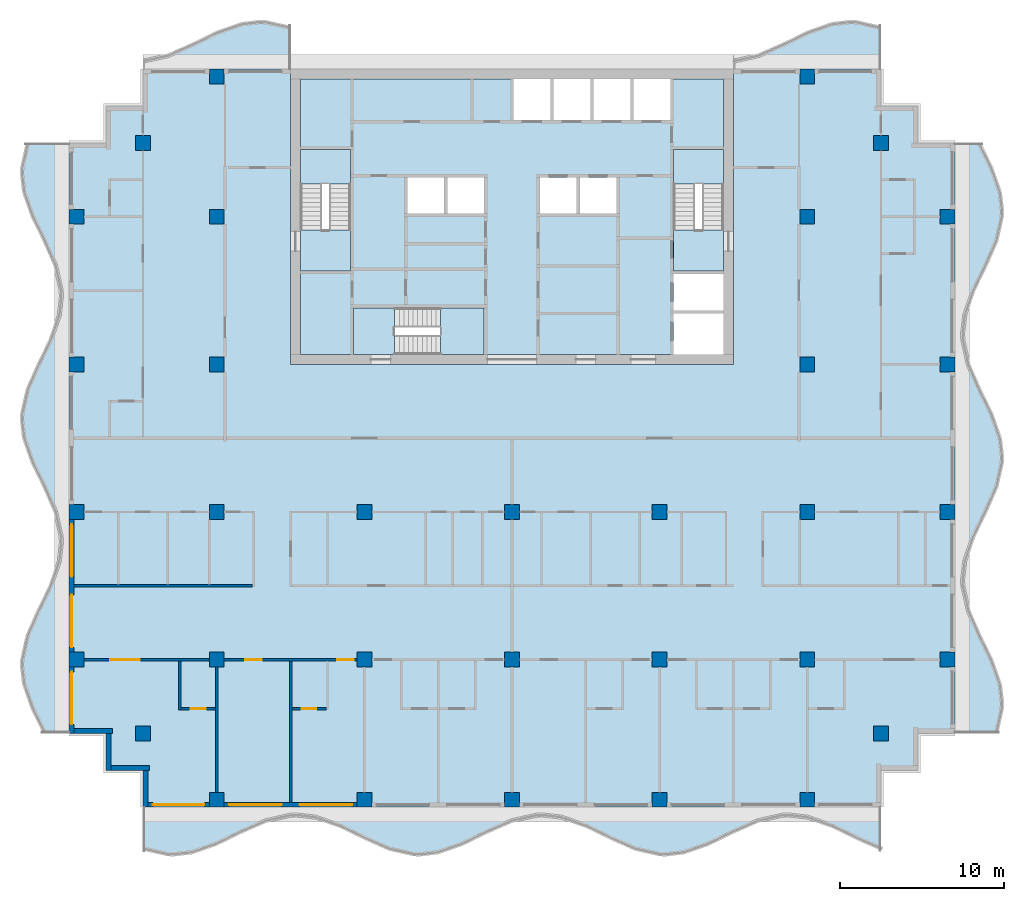
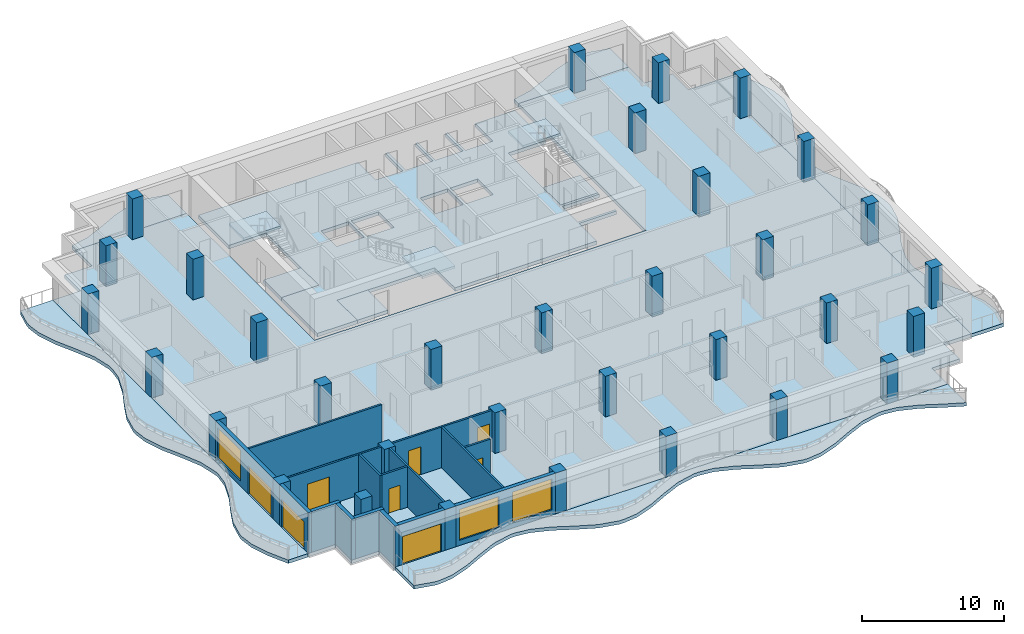
# One storey, part 1 of 11: 33 columns, 16 walls, 13 slabs, 8 doors, 3 windows, 11 openings, 3 elements without a shape of their own.
"""IFC4 building model written with IfcOpenShell, lengths in metres."""

from ifc_helpers import new_model, si_unit, direction, frame, frame_2d, origin, origin_2d, place, context, subcontext, project, spatial, polyline, rectangle, outline, extrude, material, layer, layer_set, material_profile, profile_set, type_object, element, fill, aggregate, save


model = new_model("IFC4")

# Units and contexts
model_context = context("Model", 3, precision=1e-05, world=origin(), true_north=direction((0.0, 1.0)))
body_context = subcontext(model_context, "Body", "Model", "MODEL_VIEW")
ifc_project = project(units=[si_unit("LENGTHUNIT", "METRE"), si_unit("AREAUNIT", "SQUARE_METRE"), si_unit("VOLUMEUNIT", "CUBIC_METRE"), si_unit("PLANEANGLEUNIT", "RADIAN"), si_unit("MASSUNIT", "GRAM", prefix="KILO")], contexts=[model_context])

# Site, building, storey
site_placement = place(None, origin())
site = spatial("IfcSite", under=ifc_project, at=site_placement, CompositionType="ELEMENT")
building_placement = place(site_placement, origin())
building = spatial("IfcBuilding", under=site, at=building_placement, Name="Orbiselva Terraces", CompositionType="ELEMENT")
storey_placement = place(building_placement, frame((0.0, 0.0, 276.8)))
storey = spatial("IfcBuildingStorey", under=building, at=storey_placement, Name="L70", CompositionType="ELEMENT", Elevation=276.8)

# Columns
ifc_material_1 = material(Name="Concrete C50/60", Category="concrete")
ifc_material_profile_1 = material_profile(ifc_material_1, rectangle(XDim=0.9, YDim=0.9, at=origin_2d()), Name="RC 900x900")
ifc_profile_set_1 = profile_set([ifc_material_profile_1], Name="Concrete C50/60")
column_type_1 = type_object("IfcColumnType", Name="COLUMN RC 900x900", PredefinedType="COLUMN", material=ifc_profile_set_1)
for number, where, z_axis, x_axis, name in (
    (1, (-18.0, -13.5, 0.0), (0.0, 0.0, 1.0), (1.0, 0.0, 0.0), "Column L70-01"),
    (2, (-18.0, -4.5, 0.0), (0.0, 0.0, 1.0), (1.0, 0.0, 0.0), "Column L70-03"),
    (3, (-18.0, 13.5, 0.0), (0.0, 0.0, 1.0), (1.0, 0.0, 0.0), "Column L70-04"),
    (4, (-18.0, 4.5, 0.0), (0.0, 0.0, 1.0), (1.0, 0.0, 0.0), "Column L70-06"),
    (5, (-9.0, -13.5, 0.0), (0.0, 0.0, 1.0), (1.0, 0.0, 0.0), "Column L70-13"),
    (6, (-9.0, -4.5, 0.0), (0.0, 0.0, 1.0), (1.0, 0.0, 0.0), "Column L70-15"),
    (7, (0.0, -13.5, 0.0), (0.0, 0.0, 1.0), (1.0, 0.0, 0.0), "Column L70-16"),
    (8, (0.0, -4.5, 0.0), (0.0, 0.0, 1.0), (1.0, 0.0, 0.0), "Column L70-18"),
    (9, (18.0, -13.5, 0.0), (0.0, 0.0, 1.0), (1.0, 0.0, 0.0), "Column L70-19"),
    (10, (18.0, -4.5, 0.0), (0.0, 0.0, 1.0), (1.0, 0.0, 0.0), "Column L70-21"),
    (11, (18.0, 13.5, 0.0), (0.0, 0.0, 1.0), (1.0, 0.0, 0.0), "Column L70-22"),
    (12, (18.0, 4.5, 0.0), (0.0, 0.0, 1.0), (1.0, 0.0, 0.0), "Column L70-24"),
    (13, (9.0, -13.5, 0.0), (0.0, 0.0, 1.0), (1.0, 0.0, 0.0), "Column L70-31"),
    (14, (9.0, -4.5, 0.0), (0.0, 0.0, 1.0), (1.0, 0.0, 0.0), "Column L70-33"),
):
    element("IfcColumn", number, at=place(storey_placement, frame(where, z_axis=z_axis, x_axis=x_axis)), inside=storey, type_object=column_type_1, Name=name, PredefinedType="COLUMN", context=body_context, shape_type="SweptSolid", body=[
        extrude(rectangle(XDim=0.9, YDim=0.9, at=origin_2d()), origin(), (0.0, 0.0, 1.0), 3.5),
    ])
ifc_material_profile_2 = material_profile(ifc_material_1, rectangle(XDim=0.9, YDim=0.9, at=origin_2d()), Name="RC 900x900")
ifc_profile_set_2 = profile_set([ifc_material_profile_2], Name="Concrete C50/60")
column_type_2 = type_object("IfcColumnType", Name="PERIMETER COLUMN RC 900x900", PredefinedType="COLUMN", material=ifc_profile_set_2)
for number, where, z_axis, x_axis, name in (
    (15, (-18.0, -22.05, 0.0), (0.0, 0.0, 1.0), (1.0, 0.0, 0.0), "Column L70-02"),
    (16, (-18.0, 22.05, 0.0), (0.0, 0.0, 1.0), (1.0, 0.0, 0.0), "Column L70-05"),
    (17, (-26.55, -13.5, 0.0), (0.0, 0.0, 1.0), (1.0, 0.0, 0.0), "Column L70-07"),
    (18, (-22.5, -18.0, 0.0), (0.0, 0.0, 1.0), (1.0, 0.0, 0.0), "Column L70-08"),
    (19, (-26.55, -4.5, 0.0), (0.0, 0.0, 1.0), (1.0, 0.0, 0.0), "Column L70-09"),
    (20, (-26.55, 13.5, 0.0), (0.0, 0.0, 1.0), (1.0, 0.0, 0.0), "Column L70-10"),
    (21, (-22.5, 18.0, 0.0), (0.0, 0.0, 1.0), (1.0, 0.0, 0.0), "Column L70-11"),
    (22, (-26.55, 4.5, 0.0), (0.0, 0.0, 1.0), (1.0, 0.0, 0.0), "Column L70-12"),
    (23, (-9.0, -22.05, 0.0), (0.0, 0.0, 1.0), (1.0, 0.0, 0.0), "Column L70-14"),
    (24, (0.0, -22.05, 0.0), (0.0, 0.0, 1.0), (1.0, 0.0, 0.0), "Column L70-17"),
    (25, (18.0, -22.05, 0.0), (0.0, 0.0, 1.0), (1.0, 0.0, 0.0), "Column L70-20"),
    (26, (18.0, 22.05, 0.0), (0.0, 0.0, 1.0), (1.0, 0.0, 0.0), "Column L70-23"),
    (27, (26.55, -13.5, 0.0), (0.0, 0.0, 1.0), (1.0, 0.0, 0.0), "Column L70-25"),
    (28, (22.5, -18.0, 0.0), (0.0, 0.0, 1.0), (1.0, 0.0, 0.0), "Column L70-26"),
    (29, (26.55, -4.5, 0.0), (0.0, 0.0, 1.0), (1.0, 0.0, 0.0), "Column L70-27"),
    (30, (26.55, 13.5, 0.0), (0.0, 0.0, 1.0), (1.0, 0.0, 0.0), "Column L70-28"),
    (31, (22.5, 18.0, 0.0), (0.0, 0.0, 1.0), (1.0, 0.0, 0.0), "Column L70-29"),
    (32, (26.55, 4.5, 0.0), (0.0, 0.0, 1.0), (1.0, 0.0, 0.0), "Column L70-30"),
    (33, (9.0, -22.05, 0.0), (0.0, 0.0, 1.0), (1.0, 0.0, 0.0), "Column L70-32"),
):
    element("IfcColumn", number, at=place(storey_placement, frame(where, z_axis=z_axis, x_axis=x_axis)), inside=storey, type_object=column_type_2, Name=name, PredefinedType="COLUMN", context=body_context, shape_type="SweptSolid", body=[
        extrude(rectangle(XDim=0.9, YDim=0.9, at=origin_2d()), origin(), (0.0, 0.0, 1.0), 3.5),
    ])

# Slabs
ifc_material_2 = material(Name="Concrete C40/50", Category="concrete")
ifc_layer_1 = layer(ifc_material_2, 0.3)
ifc_layer_set_1 = layer_set([ifc_layer_1], Name="Concrete C40/50")
slab_type_1 = type_object("IfcSlabType", Name="CORE-SLAB-FLOOR-300", PredefinedType="FLOOR", material=ifc_layer_set_1)
slab_1_placement = place(storey_placement, frame((0.0, 0.0, -0.3)))
element("IfcSlab", 34, at=slab_1_placement, inside=storey, type_object=slab_type_1, Name="L70 S1 floor landing", PredefinedType="FLOOR", context=body_context, shape_type="SweptSolid", body=[
    extrude(outline(polyline([(-12.9, 12.7), (-9.85, 12.7), (-9.85, 10.2), (-12.9, 10.2), (-12.9, 12.7)])), origin(), (0.0, 0.0, 1.0), 0.3),
])
slab_2_placement = place(storey_placement, frame((0.0, 0.0, -0.3)))
element("IfcSlab", 35, at=slab_2_placement, inside=storey, type_object=slab_type_1, Name="L70 S2 floor landing", PredefinedType="FLOOR", context=body_context, shape_type="SweptSolid", body=[
    extrude(outline(polyline([(12.9, 12.7), (12.9, 10.2), (9.85, 10.2), (9.85, 12.7), (12.9, 12.7)])), origin(), (0.0, 0.0, 1.0), 0.3),
])
slab_3_placement = place(storey_placement, frame((0.0, 0.0, -0.3)))
element("IfcSlab", 36, at=slab_3_placement, inside=storey, type_object=slab_type_1, Name="L70 S3 floor landing", PredefinedType="FLOOR", context=body_context, shape_type="SweptSolid", body=[
    extrude(outline(polyline([(-7.15, 5.1), (-9.65, 5.1), (-9.65, 7.95), (-7.15, 7.95), (-7.15, 5.1)])), origin(), (0.0, 0.0, 1.0), 0.3),
])
slab_4_placement = place(storey_placement, frame((0.0, 0.0, -0.3)))
element("IfcSlab", 37, at=slab_4_placement, inside=storey, type_object=slab_type_1, Name="L70 core floor slab 1", PredefinedType="FLOOR", context=body_context, shape_type="SweptSolid", body=[
    extrude(outline(polyline([(-1.7, 5.1), (-1.7, 7.95), (-9.65, 7.95), (-9.65, 5.1), (-12.9, 5.1), (-12.9, 10.2), (-9.85, 10.2), (-9.85, 17.6), (-12.9, 17.6), (-12.9, 21.9), (0.1, 21.9), (0.1, 19.4), (2.3375, 19.4), (2.3375, 21.9), (2.5375, 21.9), (2.5375, 19.4), (4.775, 19.4), (4.775, 21.9), (4.975, 21.9), (4.975, 19.4), (7.2125, 19.4), (7.2125, 21.9), (7.4125, 21.9), (7.4125, 19.4), (9.65, 19.4), (9.65, 21.9), (12.9, 21.9), (12.9, 17.6), (9.85, 17.6), (9.85, 10.2), (12.9, 10.2), (12.9, 10.0), (9.85, 10.0), (9.85, 7.8), (12.9, 7.8), (12.9, 7.6), (9.85, 7.6), (9.85, 5.1), (-1.7, 5.1)]), holes=[polyline([(-4.1375, 13.7), (-4.1375, 15.9), (-6.375, 15.9), (-6.375, 13.7), (-4.1375, 13.7)]), polyline([(-1.7, 13.7), (-1.7, 15.9), (-3.9375, 15.9), (-3.9375, 13.7), (-1.7, 13.7)]), polyline([(3.9375, 15.9), (1.7, 15.9), (1.7, 13.7), (3.9375, 13.7), (3.9375, 15.9)]), polyline([(6.375, 13.7), (6.375, 15.9), (4.1375, 15.9), (4.1375, 13.7), (6.375, 13.7)])]), origin(), (0.0, 0.0, 1.0), 0.3),
])

# Stair, slab
stair_type_1 = type_object("IfcStairType", Name="CORE-STAIR-1300", PredefinedType="HALF_TURN_STAIR", material=ifc_material_2)
stair_1_placement = place(storey_placement, origin())
stair_1 = element("IfcStair", 38, at=stair_1_placement, inside=storey, type_object=stair_type_1, Name="L70 Exit Stair S1", PredefinedType="HALF_TURN_STAIR")
ifc_layer_2 = layer(ifc_material_2, 0.2)
ifc_layer_set_2 = layer_set([ifc_layer_2], Name="Concrete C40/50")
slab_type_2 = type_object("IfcSlabType", Name="CORE-STAIR-LANDING-200", PredefinedType="LANDING", material=ifc_layer_set_2)
slab_5_placement = place(storey_placement, frame((0.0, 0.0, 1.7)))
slab_5 = element("IfcSlab", 39, at=slab_5_placement, type_object=slab_type_2, Name="S1 landing 1", PredefinedType="LANDING", context=body_context, shape_type="SweptSolid", body=[
    extrude(outline(polyline([(-9.85, 15.5), (-9.85, 17.6), (-12.9, 17.6), (-12.9, 15.5), (-9.85, 15.5)])), origin(), (0.0, 0.0, 1.0), 0.2),
])
aggregate(stair_1, [slab_5])

stair_2_placement = place(storey_placement, origin())
stair_2 = element("IfcStair", 40, at=stair_2_placement, inside=storey, type_object=stair_type_1, Name="L70 Exit Stair S2", PredefinedType="HALF_TURN_STAIR")
slab_6_placement = place(storey_placement, frame((0.0, 0.0, 1.7)))
slab_6 = element("IfcSlab", 41, at=slab_6_placement, type_object=slab_type_2, Name="S2 landing 1", PredefinedType="LANDING", context=body_context, shape_type="SweptSolid", body=[
    extrude(outline(polyline([(12.9, 15.5), (12.9, 17.6), (9.85, 17.6), (9.85, 15.5), (12.9, 15.5)])), origin(), (0.0, 0.0, 1.0), 0.2),
])
aggregate(stair_2, [slab_6])

stair_type_2 = type_object("IfcStairType", Name="CORE-STAIR-1200", PredefinedType="HALF_TURN_STAIR", material=ifc_material_2)
stair_3_placement = place(storey_placement, origin())
stair_3 = element("IfcStair", 42, at=stair_3_placement, inside=storey, type_object=stair_type_2, Name="L70 Exit Stair S3", PredefinedType="HALF_TURN_STAIR")
slab_7_placement = place(storey_placement, frame((0.0, 0.0, 1.7)))
slab_7 = element("IfcSlab", 43, at=slab_7_placement, type_object=slab_type_2, Name="S3 landing 1", PredefinedType="LANDING", context=body_context, shape_type="SweptSolid", body=[
    extrude(outline(polyline([(-4.35, 5.1), (-1.7, 5.1), (-1.7, 7.95), (-4.35, 7.95), (-4.35, 5.1)])), origin(), (0.0, 0.0, 1.0), 0.2),
])
aggregate(stair_3, [slab_7])

# Slabs
ifc_layer_3 = layer(ifc_material_1, 0.3)
ifc_layer_set_3 = layer_set([ifc_layer_3], Name="Concrete C50/60")
slab_type_3 = type_object("IfcSlabType", Name="ENV-BALCONY-SLAB-300", PredefinedType="FLOOR", material=ifc_layer_set_3)
slab_8_placement = place(storey_placement, frame((0.0, 0.0, -0.3)))
element("IfcSlab", 44, at=slab_8_placement, inside=storey, type_object=slab_type_3, Name="Balcony slab L70 S", PredefinedType="FLOOR", context=body_context, shape_type="SweptSolid", body=[
    extrude(outline(polyline([(-22.5, -25.148528), (-21.0, -25.485226), (-20.625, -25.5), (-19.5, -25.369208), (-18.0, -24.844789), (-16.5, -24.112279), (-15.0, -23.451472), (-13.5, -23.114774), (-13.125, -23.1), (-12.0, -23.230792), (-10.5, -23.755211), (-9.0, -24.487721), (-7.5, -25.148528), (-6.0, -25.485226), (-5.625, -25.5), (-4.5, -25.369208), (-3.0, -24.844789), (-1.5, -24.112279), (0.0, -23.451472), (1.5, -23.114774), (1.875, -23.1), (3.0, -23.230792), (4.5, -23.755211), (6.0, -24.487721), (7.5, -25.148528), (9.0, -25.485226), (9.375, -25.5), (10.5, -25.369208), (12.0, -24.844789), (13.5, -24.112279), (15.0, -23.451472), (16.5, -23.114774), (16.875, -23.1), (18.0, -23.230792), (19.5, -23.755211), (21.0, -24.487721), (22.5, -25.148528), (22.5, -22.5), (-22.5, -22.5), (-22.5, -25.148528)])), origin(), (0.0, 0.0, 1.0), 0.3),
])
slab_9_placement = place(storey_placement, frame((0.0, 0.0, -0.3)))
element("IfcSlab", 45, at=slab_9_placement, inside=storey, type_object=slab_type_3, Name="Balcony slab L70 E", PredefinedType="FLOOR", context=body_context, shape_type="SweptSolid", body=[
    extrude(outline(polyline([(29.648528, -18.0), (29.985226, -16.5), (30.0, -16.125), (29.869208, -15.0), (29.344789, -13.5), (28.612279, -12.0), (27.951472, -10.5), (27.614774, -9.0), (27.6, -8.625), (27.730792, -7.5), (28.255211, -6.0), (28.987721, -4.5), (29.648528, -3.0), (29.985226, -1.5), (30.0, -1.125), (29.869208, 0.0), (29.344789, 1.5), (28.612279, 3.0), (27.951472, 4.5), (27.614774, 6.0), (27.6, 6.375), (27.730792, 7.5), (28.255211, 9.0), (28.987721, 10.5), (29.648528, 12.0), (29.985226, 13.5), (30.0, 13.875), (29.869208, 15.0), (29.344789, 16.5), (28.612279, 18.0), (27.0, 18.0), (27.0, -18.0), (29.648528, -18.0)])), origin(), (0.0, 0.0, 1.0), 0.3),
])
slab_10_placement = place(storey_placement, frame((0.0, 0.0, -0.3)))
element("IfcSlab", 46, at=slab_10_placement, inside=storey, type_object=slab_type_3, Name="Balcony slab L70 NE", PredefinedType="FLOOR", context=body_context, shape_type="SweptSolid", body=[
    extrude(outline(polyline([(22.5, 25.148528), (21.0, 25.485226), (20.625, 25.5), (19.5, 25.369208), (18.0, 24.844789), (16.5, 24.112279), (15.0, 23.451472), (13.5, 23.114774), (13.5, 22.5), (22.5, 22.5), (22.5, 25.148528)])), origin(), (0.0, 0.0, 1.0), 0.3),
])
slab_11_placement = place(storey_placement, frame((0.0, 0.0, -0.3)))
element("IfcSlab", 47, at=slab_11_placement, inside=storey, type_object=slab_type_3, Name="Balcony slab L70 NW", PredefinedType="FLOOR", context=body_context, shape_type="SweptSolid", body=[
    extrude(outline(polyline([(-13.5, 25.148528), (-15.0, 25.485226), (-15.375, 25.5), (-16.5, 25.369208), (-18.0, 24.844789), (-19.5, 24.112279), (-21.0, 23.451472), (-22.5, 23.114774), (-22.5, 22.5), (-13.5, 22.5), (-13.5, 25.148528)])), origin(), (0.0, 0.0, 1.0), 0.3),
])
slab_12_placement = place(storey_placement, frame((0.0, 0.0, -0.3)))
element("IfcSlab", 48, at=slab_12_placement, inside=storey, type_object=slab_type_3, Name="Balcony slab L70 W", PredefinedType="FLOOR", context=body_context, shape_type="SweptSolid", body=[
    extrude(outline(polyline([(-29.648528, 18.0), (-29.985226, 16.5), (-30.0, 16.125), (-29.869208, 15.0), (-29.344789, 13.5), (-28.612279, 12.0), (-27.951472, 10.5), (-27.614774, 9.0), (-27.6, 8.625), (-27.730792, 7.5), (-28.255211, 6.0), (-28.987721, 4.5), (-29.648528, 3.0), (-29.985226, 1.5), (-30.0, 1.125), (-29.869208, 0.0), (-29.344789, -1.5), (-28.612279, -3.0), (-27.951472, -4.5), (-27.614774, -6.0), (-27.6, -6.375), (-27.730792, -7.5), (-28.255211, -9.0), (-28.987721, -10.5), (-29.648528, -12.0), (-29.985226, -13.5), (-30.0, -13.875), (-29.869208, -15.0), (-29.344789, -16.5), (-28.612279, -18.0), (-27.0, -18.0), (-27.0, 18.0), (-29.648528, 18.0)])), origin(), (0.0, 0.0, 1.0), 0.3),
])
ifc_layer_4 = layer(ifc_material_1, 0.3)
ifc_layer_set_4 = layer_set([ifc_layer_4], Name="Concrete C50/60")
slab_type_4 = type_object("IfcSlabType", Name="FLOOR SLAB 300", PredefinedType="FLOOR", material=ifc_layer_set_4)
slab_13_placement = place(storey_placement, frame((0.0, 0.0, -0.3)))
element("IfcSlab", 49, at=slab_13_placement, inside=storey, type_object=slab_type_4, Name="Floor slab L70", PredefinedType="FLOOR", context=body_context, shape_type="SweptSolid", body=[
    extrude(outline(polyline([(22.5, 22.5), (22.5, 20.25), (24.75, 20.25), (24.75, 18.0), (27.0, 18.0), (27.0, -18.0), (24.75, -18.0), (24.75, -20.25), (22.5, -20.25), (22.5, -22.5), (-22.5, -22.5), (-22.5, -20.25), (-24.75, -20.25), (-24.75, -18.0), (-27.0, -18.0), (-27.0, 18.0), (-24.75, 18.0), (-24.75, 20.25), (-22.5, 20.25), (-22.5, 22.5), (-13.5, 22.5), (-13.5, 4.5), (13.5, 4.5), (13.5, 22.5), (22.5, 22.5)])), origin(), (0.0, 0.0, 1.0), 0.3),
])

# Wall, opening, door
ifc_material_3 = material(Name="Terracotta cladding on masonry backing", Category="masonry")
ifc_layer_5 = layer(ifc_material_3, 0.3)
ifc_layer_set_5 = layer_set([ifc_layer_5], Name="Terracotta cladding on masonry backing")
wall_type_1 = type_object("IfcWallType", Name="ENV-WALL-TERRACOTTA-300", PredefinedType="SOLIDWALL", material=ifc_layer_set_5)
wall_1_placement = place(storey_placement, frame((-18.45, -22.35, 0.0), z_axis=(0.0, 0.0, 1.0), x_axis=(-1.0, 0.0, 0.0)))
wall_1 = element("IfcWall", 50, at=wall_1_placement, inside=storey, type_object=wall_type_1, Name="Facade wall L70 S", PredefinedType="SOLIDWALL", context=body_context, shape_type="SweptSolid", body=[
    extrude(rectangle(XDim=3.75, YDim=0.3, at=frame_2d((1.875, 0.0))), origin(), (0.0, 0.0, 1.0), 3.5),
])
opening_1_placement = place(wall_1_placement, frame((0.3, 0.0, 0.0)))
opening_1 = element("IfcOpeningElement", 51, at=opening_1_placement, cuts=wall_1, Name="Opening Z5-D-E01", PredefinedType="OPENING", context=body_context, shape_type="SweptSolid", body=[
    extrude(rectangle(XDim=3.15, YDim=2.4, at=frame_2d((1.575, 1.2))), frame((0.0, 0.16, 0.0), z_axis=(0.0, -1.0, 0.0), x_axis=(1.0, 0.0, 0.0)), (0.0, 0.0, 1.0), 0.32),
])
ifc_material_4 = material(Name="Clear low-e glazing in aluminium frame", Category="aluminium")
door_type_1 = type_object("IfcDoorType", Name="BALCONY DOOR 3150 X 2400", OperationType="DOUBLE_DOOR_SLIDING", PredefinedType="DOOR", material=ifc_material_4)
door_1_placement = place(opening_1_placement, origin())
door_1 = element("IfcDoor", 52, at=door_1_placement, inside=storey, type_object=door_type_1, Name="Z5-D-E01", OperationType="SINGLE_SWING_LEFT", OverallHeight=2.4, OverallWidth=3.15, PredefinedType="DOOR", context=body_context, shape_type="SweptSolid", body=[
    extrude(rectangle(XDim=3.15, YDim=2.4, at=frame_2d((1.575, 1.2))), frame((0.0, 0.025, 0.0), z_axis=(0.0, -1.0, 0.0), x_axis=(1.0, 0.0, 0.0)), (0.0, 0.0, 1.0), 0.05),
])
fill(opening_1, door_1)

# Wall, openings, windows
wall_2_placement = place(storey_placement, frame((-9.45, -22.35, 0.0), z_axis=(0.0, 0.0, 1.0), x_axis=(-1.0, 0.0, 0.0)))
wall_2 = element("IfcWall", 53, at=wall_2_placement, inside=storey, type_object=wall_type_1, Name="Facade wall L70 S", PredefinedType="SOLIDWALL", context=body_context, shape_type="SweptSolid", body=[
    extrude(rectangle(XDim=8.1, YDim=0.3, at=frame_2d((4.05, 0.0))), origin(), (0.0, 0.0, 1.0), 3.5),
])
opening_2_placement = place(wall_2_placement, frame((4.6, 0.0, 0.45)))
opening_2 = element("IfcOpeningElement", 54, at=opening_2_placement, cuts=wall_2, Name="Opening WN17", PredefinedType="OPENING", context=body_context, shape_type="SweptSolid", body=[
    extrude(rectangle(XDim=3.2, YDim=2.65, at=frame_2d((1.6, 1.325))), frame((0.0, 0.16, 0.0), z_axis=(0.0, -1.0, 0.0), x_axis=(1.0, 0.0, 0.0)), (0.0, 0.0, 1.0), 0.32),
])
opening_3_placement = place(wall_2_placement, frame((0.3, 0.0, 0.45)))
opening_3 = element("IfcOpeningElement", 55, at=opening_3_placement, cuts=wall_2, Name="Opening WN17", PredefinedType="OPENING", context=body_context, shape_type="SweptSolid", body=[
    extrude(rectangle(XDim=3.2, YDim=2.65, at=frame_2d((1.6, 1.325))), frame((0.0, 0.16, 0.0), z_axis=(0.0, -1.0, 0.0), x_axis=(1.0, 0.0, 0.0)), (0.0, 0.0, 1.0), 0.32),
])
window_type = type_object("IfcWindowType", Name="WINDOW 3200 X 2650 S450", PartitioningType="TRIPLE_PANEL_VERTICAL", PredefinedType="WINDOW", material=ifc_material_4)
window_1_placement = place(opening_2_placement, origin())
window_1 = element("IfcWindow", 56, at=window_1_placement, inside=storey, type_object=window_type, Name="Window L70 S", OverallHeight=2.65, OverallWidth=3.2, PartitioningType="SINGLE_PANEL", PredefinedType="WINDOW", context=body_context, shape_type="SweptSolid", body=[
    extrude(rectangle(XDim=3.2, YDim=2.65, at=frame_2d((1.6, 1.325))), frame((0.0, 0.03, 0.0), z_axis=(0.0, -1.0, 0.0), x_axis=(1.0, 0.0, 0.0)), (0.0, 0.0, 1.0), 0.06),
])
fill(opening_2, window_1)
window_2_placement = place(opening_3_placement, origin())
window_2 = element("IfcWindow", 57, at=window_2_placement, inside=storey, type_object=window_type, Name="Window L70 S", OverallHeight=2.65, OverallWidth=3.2, PartitioningType="SINGLE_PANEL", PredefinedType="WINDOW", context=body_context, shape_type="SweptSolid", body=[
    extrude(rectangle(XDim=3.2, YDim=2.65, at=frame_2d((1.6, 1.325))), frame((0.0, 0.03, 0.0), z_axis=(0.0, -1.0, 0.0), x_axis=(1.0, 0.0, 0.0)), (0.0, 0.0, 1.0), 0.06),
])
fill(opening_3, window_2)

# Wall, openings, door, window
wall_3_placement = place(storey_placement, frame((-26.85, -13.05, 0.0), z_axis=(0.0, 0.0, 1.0), x_axis=(0.0, 1.0, 0.0)))
wall_3 = element("IfcWall", 58, at=wall_3_placement, inside=storey, type_object=wall_type_1, Name="Facade wall L70 W", PredefinedType="SOLIDWALL", context=body_context, shape_type="SweptSolid", body=[
    extrude(rectangle(XDim=8.1, YDim=0.3, at=frame_2d((4.05, 0.0))), origin(), (0.0, 0.0, 1.0), 3.5),
])
opening_4_placement = place(wall_3_placement, frame((4.6, 0.0, 0.45)))
opening_4 = element("IfcOpeningElement", 59, at=opening_4_placement, cuts=wall_3, Name="Opening WN17", PredefinedType="OPENING", context=body_context, shape_type="SweptSolid", body=[
    extrude(rectangle(XDim=3.2, YDim=2.65, at=frame_2d((1.6, 1.325))), frame((0.0, 0.16, 0.0), z_axis=(0.0, -1.0, 0.0), x_axis=(1.0, 0.0, 0.0)), (0.0, 0.0, 1.0), 0.32),
])
opening_5_placement = place(wall_3_placement, frame((0.3, 0.0, 0.0)))
opening_5 = element("IfcOpeningElement", 60, at=opening_5_placement, cuts=wall_3, Name="Opening Z5-D-E17", PredefinedType="OPENING", context=body_context, shape_type="SweptSolid", body=[
    extrude(rectangle(XDim=3.2, YDim=2.4, at=frame_2d((1.6, 1.2))), frame((0.0, 0.16, 0.0), z_axis=(0.0, -1.0, 0.0), x_axis=(1.0, 0.0, 0.0)), (0.0, 0.0, 1.0), 0.32),
])
door_type_2 = type_object("IfcDoorType", Name="BALCONY DOOR 3200 X 2400", OperationType="DOUBLE_DOOR_SLIDING", PredefinedType="DOOR", material=ifc_material_4)
door_2_placement = place(opening_5_placement, origin())
door_2 = element("IfcDoor", 61, at=door_2_placement, inside=storey, type_object=door_type_2, Name="Z5-D-E17", OperationType="SINGLE_SWING_LEFT", OverallHeight=2.4, OverallWidth=3.2, PredefinedType="DOOR", context=body_context, shape_type="SweptSolid", body=[
    extrude(rectangle(XDim=3.2, YDim=2.4, at=frame_2d((1.6, 1.2))), frame((0.0, 0.025, 0.0), z_axis=(0.0, -1.0, 0.0), x_axis=(1.0, 0.0, 0.0)), (0.0, 0.0, 1.0), 0.05),
])
fill(opening_5, door_2)
window_3_placement = place(opening_4_placement, origin())
window_3 = element("IfcWindow", 62, at=window_3_placement, inside=storey, type_object=window_type, Name="Window L70 W", OverallHeight=2.65, OverallWidth=3.2, PartitioningType="SINGLE_PANEL", PredefinedType="WINDOW", context=body_context, shape_type="SweptSolid", body=[
    extrude(rectangle(XDim=3.2, YDim=2.65, at=frame_2d((1.6, 1.325))), frame((0.0, 0.03, 0.0), z_axis=(0.0, -1.0, 0.0), x_axis=(1.0, 0.0, 0.0)), (0.0, 0.0, 1.0), 0.06),
])
fill(opening_4, window_3)

# Wall, opening, door
wall_4_placement = place(storey_placement, frame((-26.85, -18.0, 0.0), z_axis=(0.0, 0.0, 1.0), x_axis=(0.0, 1.0, 0.0)))
wall_4 = element("IfcWall", 63, at=wall_4_placement, inside=storey, type_object=wall_type_1, Name="Facade wall L70 W", PredefinedType="SOLIDWALL", context=body_context, shape_type="SweptSolid", body=[
    extrude(rectangle(XDim=4.05, YDim=0.3, at=frame_2d((2.025, 0.0))), origin(), (0.0, 0.0, 1.0), 3.5),
])
opening_6_placement = place(wall_4_placement, frame((0.55, 0.0, 0.0)))
opening_6 = element("IfcOpeningElement", 64, at=opening_6_placement, cuts=wall_4, Name="Opening Z5-D-E11", PredefinedType="OPENING", context=body_context, shape_type="SweptSolid", body=[
    extrude(rectangle(XDim=3.2, YDim=2.4, at=frame_2d((1.6, 1.2))), frame((0.0, 0.16, 0.0), z_axis=(0.0, -1.0, 0.0), x_axis=(1.0, 0.0, 0.0)), (0.0, 0.0, 1.0), 0.32),
])
door_3_placement = place(opening_6_placement, origin())
door_3 = element("IfcDoor", 65, at=door_3_placement, inside=storey, type_object=door_type_2, Name="Z5-D-E11", OperationType="SINGLE_SWING_LEFT", OverallHeight=2.4, OverallWidth=3.2, PredefinedType="DOOR", context=body_context, shape_type="SweptSolid", body=[
    extrude(rectangle(XDim=3.2, YDim=2.4, at=frame_2d((1.6, 1.2))), frame((0.0, 0.025, 0.0), z_axis=(0.0, -1.0, 0.0), x_axis=(1.0, 0.0, 0.0)), (0.0, 0.0, 1.0), 0.05),
])
fill(opening_6, door_3)

# Walls
wall_5_placement = place(storey_placement, frame((-24.35, -17.85, 0.0), z_axis=(0.0, 0.0, 1.0), x_axis=(-1.0, 0.0, 0.0)))
element("IfcWall", 66, at=wall_5_placement, inside=storey, type_object=wall_type_1, Name="Facade wall L70 STEP", PredefinedType="SOLIDWALL", context=body_context, shape_type="SweptSolid", body=[
    extrude(rectangle(XDim=2.35, YDim=0.3, at=frame_2d((1.175, 0.0))), origin(), (0.0, 0.0, 1.0), 3.5),
])
wall_6_placement = place(storey_placement, frame((-24.6, -20.25, 0.0), z_axis=(0.0, 0.0, 1.0), x_axis=(0.0, 1.0, 0.0)))
element("IfcWall", 67, at=wall_6_placement, inside=storey, type_object=wall_type_1, Name="Facade wall L70 STEP", PredefinedType="SOLIDWALL", context=body_context, shape_type="SweptSolid", body=[
    extrude(rectangle(XDim=2.25, YDim=0.3, at=frame_2d((1.125, 0.0))), origin(), (0.0, 0.0, 1.0), 3.5),
])
wall_7_placement = place(storey_placement, frame((-22.1, -20.1, 0.0), z_axis=(0.0, 0.0, 1.0), x_axis=(-1.0, 0.0, 0.0)))
element("IfcWall", 68, at=wall_7_placement, inside=storey, type_object=wall_type_1, Name="Facade wall L70 STEP", PredefinedType="SOLIDWALL", context=body_context, shape_type="SweptSolid", body=[
    extrude(rectangle(XDim=2.35, YDim=0.3, at=frame_2d((1.175, 0.0))), origin(), (0.0, 0.0, 1.0), 3.5),
])
wall_8_placement = place(storey_placement, frame((-22.35, -22.5, 0.0), z_axis=(0.0, 0.0, 1.0), x_axis=(0.0, 1.0, 0.0)))
element("IfcWall", 69, at=wall_8_placement, inside=storey, type_object=wall_type_1, Name="Facade wall L70 STEP", PredefinedType="SOLIDWALL", context=body_context, shape_type="SweptSolid", body=[
    extrude(rectangle(XDim=2.25, YDim=0.3, at=frame_2d((1.125, 0.0))), origin(), (0.0, 0.0, 1.0), 3.5),
])

# Wall, opening, door
ifc_material_5 = material(Name="Plasterboard on steel stud partition", Category="steel")
ifc_layer_6 = layer(ifc_material_5, 0.15)
ifc_layer_set_6 = layer_set([ifc_layer_6], Name="Plasterboard on steel stud partition")
wall_type_2 = type_object("IfcWallType", Name="UNIT-PARTITION-150", PredefinedType="PARTITIONING", material=ifc_layer_set_6)
wall_9_placement = place(storey_placement, frame((-20.175, -16.5, 0.0), z_axis=(0.0, 0.0, 1.0), x_axis=(1.0, 0.0, 0.0)))
wall_9 = element("IfcWall", 70, at=wall_9_placement, inside=storey, type_object=wall_type_2, Name="PARTITION L70-001", PredefinedType="PARTITIONING", context=body_context, shape_type="SweptSolid", body=[
    extrude(rectangle(XDim=2.1, YDim=0.15, at=frame_2d((1.05, 0.0))), origin(), (0.0, 0.0, 1.0), 3.5),
])
opening_7_placement = place(wall_9_placement, frame((0.6, 0.0, 0.0)))
opening_7 = element("IfcOpeningElement", 71, at=opening_7_placement, cuts=wall_9, Name="Opening Z5-D-33", PredefinedType="OPENING", context=body_context, shape_type="SweptSolid", body=[
    extrude(rectangle(XDim=0.9, YDim=2.1, at=frame_2d((0.45, 1.05))), frame((0.0, 0.085, 0.0), z_axis=(0.0, -1.0, 0.0), x_axis=(1.0, 0.0, 0.0)), (0.0, 0.0, 1.0), 0.17),
])
ifc_material_6 = material(Name="Painted timber door leaf", Category="wood")
door_type_3 = type_object("IfcDoorType", Name="BATH DOOR 900", OperationType="NOTDEFINED", PredefinedType="DOOR", material=ifc_material_6)
door_4_placement = place(opening_7_placement, origin())
door_4 = element("IfcDoor", 72, at=door_4_placement, inside=storey, type_object=door_type_3, Name="Z5-D-33", OperationType="SINGLE_SWING_LEFT", OverallHeight=2.1, OverallWidth=0.9, PredefinedType="DOOR", context=body_context, shape_type="SweptSolid", body=[
    extrude(rectangle(XDim=0.9, YDim=2.1, at=frame_2d((0.45, 1.05))), frame((0.0, 0.025, 0.0), z_axis=(0.0, -1.0, 0.0), x_axis=(1.0, 0.0, 0.0)), (0.0, 0.0, 1.0), 0.05),
])
fill(opening_7, door_4)

wall_10_placement = place(storey_placement, frame((-13.425, -16.5, 0.0), z_axis=(0.0, 0.0, 1.0), x_axis=(1.0, 0.0, 0.0)))
wall_10 = element("IfcWall", 73, at=wall_10_placement, inside=storey, type_object=wall_type_2, Name="PARTITION L70-002", PredefinedType="PARTITIONING", context=body_context, shape_type="SweptSolid", body=[
    extrude(rectangle(XDim=2.1, YDim=0.15, at=frame_2d((1.05, 0.0))), origin(), (0.0, 0.0, 1.0), 3.5),
])
opening_8_placement = place(wall_10_placement, frame((0.6, 0.0, 0.0)))
opening_8 = element("IfcOpeningElement", 74, at=opening_8_placement, cuts=wall_10, Name="Opening Z5-D-30", PredefinedType="OPENING", context=body_context, shape_type="SweptSolid", body=[
    extrude(rectangle(XDim=0.9, YDim=2.1, at=frame_2d((0.45, 1.05))), frame((0.0, 0.085, 0.0), z_axis=(0.0, -1.0, 0.0), x_axis=(1.0, 0.0, 0.0)), (0.0, 0.0, 1.0), 0.17),
])
door_5_placement = place(opening_8_placement, origin())
door_5 = element("IfcDoor", 75, at=door_5_placement, inside=storey, type_object=door_type_3, Name="Z5-D-30", OperationType="SINGLE_SWING_LEFT", OverallHeight=2.1, OverallWidth=0.9, PredefinedType="DOOR", context=body_context, shape_type="SweptSolid", body=[
    extrude(rectangle(XDim=0.9, YDim=2.1, at=frame_2d((0.45, 1.05))), frame((0.0, 0.025, 0.0), z_axis=(0.0, -1.0, 0.0), x_axis=(1.0, 0.0, 0.0)), (0.0, 0.0, 1.0), 0.05),
])
fill(opening_8, door_5)

wall_11_placement = place(storey_placement, frame((-18.45, -13.5, 0.0), z_axis=(0.0, 0.0, 1.0), x_axis=(-1.0, 0.0, 0.0)))
wall_11 = element("IfcWall", 76, at=wall_11_placement, inside=storey, type_object=wall_type_2, Name="PARTITION L70-009", PredefinedType="PARTITIONING", context=body_context, shape_type="SweptSolid", body=[
    extrude(rectangle(XDim=7.65, YDim=0.15, at=frame_2d((3.825, 0.0))), origin(), (0.0, 0.0, 1.0), 3.5),
])
opening_9_placement = place(wall_11_placement, frame((4.25, 0.0, 0.0)))
opening_9 = element("IfcOpeningElement", 77, at=opening_9_placement, cuts=wall_11, Name="Opening Z5-D-32", PredefinedType="OPENING", context=body_context, shape_type="SweptSolid", body=[
    extrude(rectangle(XDim=1.8, YDim=2.4, at=frame_2d((0.9, 1.2))), frame((0.0, 0.085, 0.0), z_axis=(0.0, -1.0, 0.0), x_axis=(1.0, 0.0, 0.0)), (0.0, 0.0, 1.0), 0.17),
])
door_type_4 = type_object("IfcDoorType", Name="DOUBLE DOOR 1800", OperationType="NOTDEFINED", PredefinedType="DOOR", material=ifc_material_6)
door_6_placement = place(opening_9_placement, origin())
door_6 = element("IfcDoor", 78, at=door_6_placement, inside=storey, type_object=door_type_4, Name="Z5-D-32", OperationType="DOUBLE_DOOR_SINGLE_SWING", OverallHeight=2.4, OverallWidth=1.8, PredefinedType="DOOR", context=body_context, shape_type="SweptSolid", body=[
    extrude(rectangle(XDim=1.8, YDim=2.4, at=frame_2d((0.9, 1.2))), frame((0.0, 0.025, 0.0), z_axis=(0.0, -1.0, 0.0), x_axis=(1.0, 0.0, 0.0)), (0.0, 0.0, 1.0), 0.05),
])
fill(opening_9, door_6)

# Wall, openings, doors
wall_12_placement = place(storey_placement, frame((-9.45, -13.5, 0.0), z_axis=(0.0, 0.0, 1.0), x_axis=(-1.0, 0.0, 0.0)))
wall_12 = element("IfcWall", 79, at=wall_12_placement, inside=storey, type_object=wall_type_2, Name="PARTITION L70-010", PredefinedType="PARTITIONING", context=body_context, shape_type="SweptSolid", body=[
    extrude(rectangle(XDim=8.1, YDim=0.15, at=frame_2d((4.05, 0.0))), origin(), (0.0, 0.0, 1.0), 3.5),
])
opening_10_placement = place(wall_12_placement, frame((0.2, 0.0, 0.0)))
opening_10 = element("IfcOpeningElement", 80, at=opening_10_placement, cuts=wall_12, Name="Opening Z5-D-29", PredefinedType="OPENING", context=body_context, shape_type="SweptSolid", body=[
    extrude(rectangle(XDim=1.0, YDim=2.4, at=frame_2d((0.5, 1.2))), frame((0.0, 0.085, 0.0), z_axis=(0.0, -1.0, 0.0), x_axis=(1.0, 0.0, 0.0)), (0.0, 0.0, 1.0), 0.17),
])
opening_11_placement = place(wall_12_placement, frame((5.8, 0.0, 0.0)))
opening_11 = element("IfcOpeningElement", 81, at=opening_11_placement, cuts=wall_12, Name="Opening Z5-D-31", PredefinedType="OPENING", context=body_context, shape_type="SweptSolid", body=[
    extrude(rectangle(XDim=1.0, YDim=2.4, at=frame_2d((0.5, 1.2))), frame((0.0, 0.085, 0.0), z_axis=(0.0, -1.0, 0.0), x_axis=(1.0, 0.0, 0.0)), (0.0, 0.0, 1.0), 0.17),
])
door_type_5 = type_object("IfcDoorType", Name="ROOM DOOR 1000", OperationType="NOTDEFINED", PredefinedType="DOOR", material=ifc_material_6)
door_7_placement = place(opening_10_placement, origin())
door_7 = element("IfcDoor", 82, at=door_7_placement, inside=storey, type_object=door_type_5, Name="Z5-D-29", OperationType="SINGLE_SWING_LEFT", OverallHeight=2.4, OverallWidth=1.0, PredefinedType="DOOR", context=body_context, shape_type="SweptSolid", body=[
    extrude(rectangle(XDim=1.0, YDim=2.4, at=frame_2d((0.5, 1.2))), frame((0.0, 0.025, 0.0), z_axis=(0.0, -1.0, 0.0), x_axis=(1.0, 0.0, 0.0)), (0.0, 0.0, 1.0), 0.05),
])
fill(opening_10, door_7)
door_8_placement = place(opening_11_placement, origin())
door_8 = element("IfcDoor", 83, at=door_8_placement, inside=storey, type_object=door_type_5, Name="Z5-D-31", OperationType="SINGLE_SWING_RIGHT", OverallHeight=2.4, OverallWidth=1.0, PredefinedType="DOOR", context=body_context, shape_type="SweptSolid", body=[
    extrude(rectangle(XDim=1.0, YDim=2.4, at=frame_2d((0.5, 1.2))), frame((0.0, 0.025, 0.0), z_axis=(0.0, -1.0, 0.0), x_axis=(1.0, 0.0, 0.0)), (0.0, 0.0, 1.0), 0.05),
])
fill(opening_11, door_8)

# Walls
wall_13_placement = place(storey_placement, frame((-26.7, -9.0, 0.0), z_axis=(0.0, 0.0, 1.0), x_axis=(1.0, 0.0, 0.0)))
element("IfcWall", 84, at=wall_13_placement, inside=storey, type_object=wall_type_2, Name="PARTITION L70-015", PredefinedType="PARTITIONING", context=body_context, shape_type="SweptSolid", body=[
    extrude(rectangle(XDim=10.875, YDim=0.15, at=frame_2d((5.4375, 0.0))), origin(), (0.0, 0.0, 1.0), 3.5),
])
wall_14_placement = place(storey_placement, frame((-20.25, -16.575, 0.0), z_axis=(0.0, 0.0, 1.0), x_axis=(0.0, 1.0, 0.0)))
element("IfcWall", 85, at=wall_14_placement, inside=storey, type_object=wall_type_2, Name="PARTITION L70-047", PredefinedType="PARTITIONING", context=body_context, shape_type="SweptSolid", body=[
    extrude(rectangle(XDim=3.0, YDim=0.15, at=frame_2d((1.5, 0.0))), origin(), (0.0, 0.0, 1.0), 3.5),
])
wall_15_placement = place(storey_placement, frame((-18.0, -21.6, 0.0), z_axis=(0.0, 0.0, 1.0), x_axis=(0.0, 1.0, 0.0)))
element("IfcWall", 86, at=wall_15_placement, inside=storey, type_object=wall_type_2, Name="PARTITION L70-049", PredefinedType="PARTITIONING", context=body_context, shape_type="SweptSolid", body=[
    extrude(rectangle(XDim=7.65, YDim=0.15, at=frame_2d((3.825, 0.0))), origin(), (0.0, 0.0, 1.0), 3.5),
])
wall_16_placement = place(storey_placement, frame((-13.5, -22.2, 0.0), z_axis=(0.0, 0.0, 1.0), x_axis=(0.0, 1.0, 0.0)))
element("IfcWall", 87, at=wall_16_placement, inside=storey, type_object=wall_type_2, Name="PARTITION L70-055", PredefinedType="PARTITIONING", context=body_context, shape_type="SweptSolid", body=[
    extrude(rectangle(XDim=8.625, YDim=0.15, at=frame_2d((4.3125, 0.0))), origin(), (0.0, 0.0, 1.0), 3.5),
])

save(model, "model.ifc")
